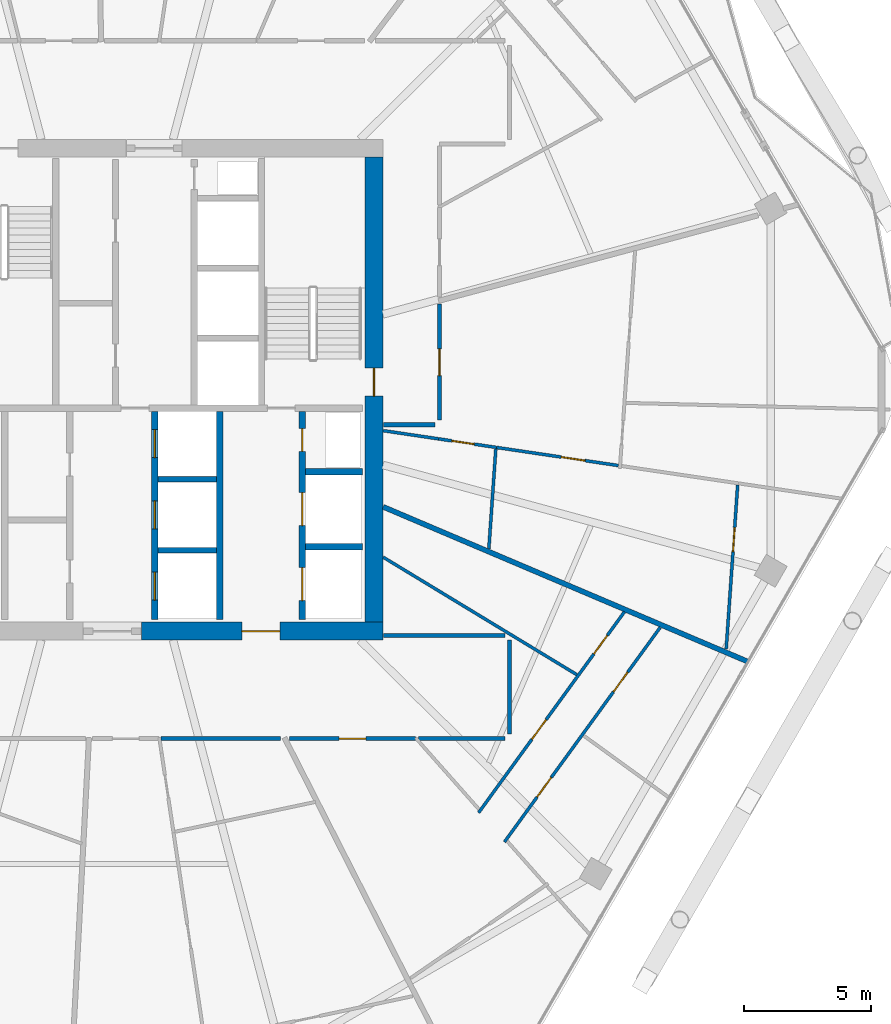
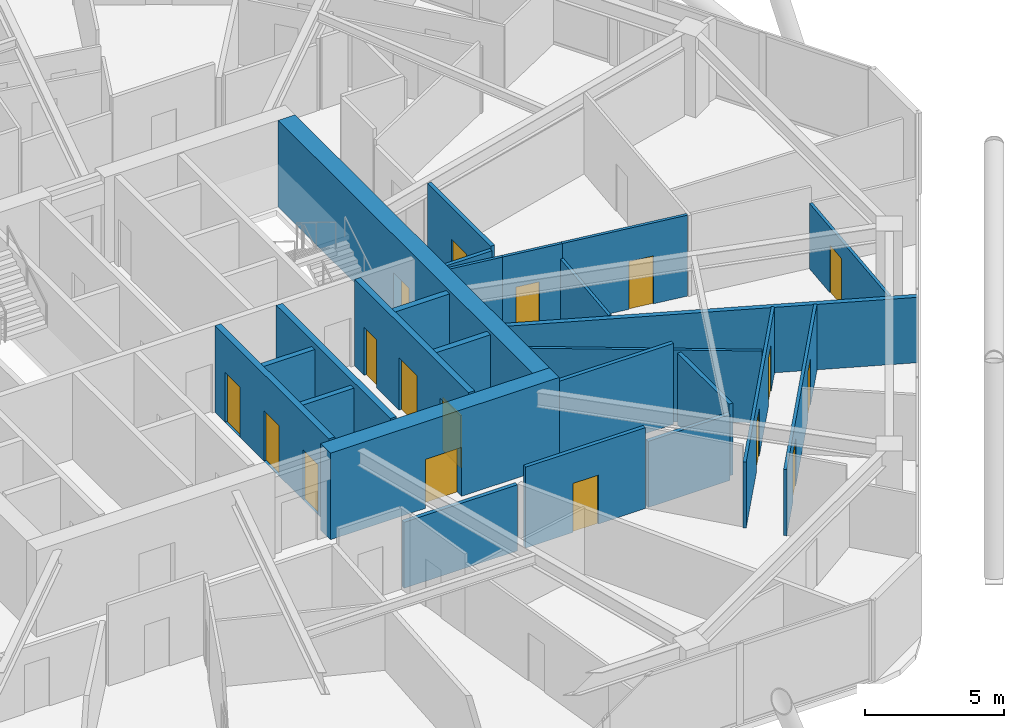
# One storey, part 23 of 29: 25 walls, 17 doors, 17 openings.
"""IFC4 building model written with IfcOpenShell, lengths in metres."""

from ifc_helpers import new_model, si_unit, direction, frame, frame_2d, origin, place, context, subcontext, project, spatial, rectangle, extrude, material, layer, layer_set, type_object, element, fill, save


model = new_model("IFC4")

# Units and contexts
model_context = context("Model", 3, precision=1e-05, world=origin(), true_north=direction((0.0, 1.0)))
body_context = subcontext(model_context, "Body", "Model", "MODEL_VIEW")
ifc_project = project(units=[si_unit("LENGTHUNIT", "METRE"), si_unit("AREAUNIT", "SQUARE_METRE"), si_unit("VOLUMEUNIT", "CUBIC_METRE"), si_unit("PLANEANGLEUNIT", "RADIAN"), si_unit("MASSUNIT", "GRAM", prefix="KILO")], contexts=[model_context])

# Site, building, storey
site_placement = place(None, origin())
site = spatial("IfcSite", under=ifc_project, at=site_placement, CompositionType="ELEMENT")
building_placement = place(site_placement, origin())
building = spatial("IfcBuilding", under=site, at=building_placement, Name="Zuhravey Tower", CompositionType="ELEMENT")
storey_placement = place(building_placement, frame((0.0, 0.0, 192.199951171875)))
storey = spatial("IfcBuildingStorey", under=building, at=storey_placement, Name="L48", CompositionType="ELEMENT", Elevation=192.199951171875)

# Wall, opening, door
ifc_material_1 = material(Name="Concrete C60/75", Category="concrete")
ifc_layer_1 = layer(ifc_material_1, 0.699951171875)
ifc_layer_set_1 = layer_set([ifc_layer_1], Name="Concrete C60/75")
wall_type_1 = type_object("IfcWallType", Name="Core Shear Wall 700", PredefinedType="SHEAR", material=ifc_layer_set_1)
wall_1_placement = place(storey_placement, frame((37.35009765625, 22.5, 0.0), z_axis=(0.0, 0.0, 1.0), x_axis=(1.0, 0.0, 0.0)))
wall_1 = element("IfcWall", 1, at=wall_1_placement, inside=storey, type_object=wall_type_1, Name="L48 South-East Core Shear Wall CW70", PredefinedType="SHEAR", context=body_context, shape_type="SweptSolid", body=[
    extrude(rectangle(XDim=9.5, YDim=0.699951171875, at=frame_2d((4.75, 0.0))), origin(), (0.0, 0.0, 1.0), 3.800048828125),
])
opening_1_placement = place(wall_1_placement, frame((3.949951171875, 0.0, 0.0)))
opening_1 = element("IfcOpeningElement", 2, at=opening_1_placement, cuts=wall_1, Name="Opening FFD1", PredefinedType="OPENING", context=body_context, shape_type="SweptSolid", body=[
    extrude(rectangle(XDim=1.5, YDim=2.14990234375, at=frame_2d((0.75, 1.074951171875))), frame((0.0, 0.362060546875, 0.0), z_axis=(0.0, -1.0, 0.0), x_axis=(1.0, 0.0, 0.0)), (0.0, 0.0, 1.0), 0.723876953125),
])
ifc_material_2 = material(Name="Galvanised fire-rated steel leaf", Category="steel")
door_type_1 = type_object("IfcDoorType", Name="Firefighting Lobby Double Door 1500x2150", OperationType="DOUBLE_DOOR_SINGLE_SWING", PredefinedType="DOOR", material=ifc_material_2)
door_1_placement = place(opening_1_placement, origin())
door_1 = element("IfcDoor", 3, at=door_1_placement, inside=storey, type_object=door_type_1, Name="L48 Firefighting Lobby East Door", OperationType="DOUBLE_DOOR_SINGLE_SWING", OverallHeight=2.14990234375, OverallWidth=1.5, PredefinedType="DOOR", context=body_context, shape_type="SweptSolid", body=[
    extrude(rectangle(XDim=1.5, YDim=2.14990234375, at=frame_2d((0.75, 1.074951171875))), frame((0.0, 0.02490234375, 0.0), z_axis=(0.0, -1.0, 0.0), x_axis=(1.0, 0.0, 0.0)), (0.0, 0.0, 1.0), 0.050048828125),
])
fill(opening_1, door_1)

wall_2_placement = place(storey_placement, frame((46.5, 22.85009765625, 0.0), z_axis=(0.0, 0.0, 1.0), x_axis=(0.0, 1.0, 0.0)))
wall_2 = element("IfcWall", 4, at=wall_2_placement, inside=storey, type_object=wall_type_1, Name="L48 East Core Shear Wall CW70", PredefinedType="SHEAR", context=body_context, shape_type="SweptSolid", body=[
    extrude(rectangle(XDim=18.2998046875, YDim=0.699951171875, at=frame_2d((9.14990234375, 0.0))), origin(), (0.0, 0.0, 1.0), 3.800048828125),
])
opening_2_placement = place(wall_2_placement, frame((8.89990234375, 0.0, 0.0)))
opening_2 = element("IfcOpeningElement", 5, at=opening_2_placement, cuts=wall_2, Name="Opening STD1", PredefinedType="OPENING", context=body_context, shape_type="SweptSolid", body=[
    extrude(rectangle(XDim=1.10009765625, YDim=2.14990234375, at=frame_2d((0.550048828125, 1.074951171875))), frame((0.0, 0.362060546875, 0.0), z_axis=(0.0, -1.0, 0.0), x_axis=(1.0, 0.0, 0.0)), (0.0, 0.0, 1.0), 0.723876953125),
])
door_type_2 = type_object("IfcDoorType", Name="Protected Stair Fire Door 1100x2150", OperationType="NOTDEFINED", PredefinedType="USERDEFINED", material=ifc_material_2)
door_2_placement = place(opening_2_placement, origin())
door_2 = element("IfcDoor", 6, at=door_2_placement, inside=storey, type_object=door_type_2, Name="L48 Stair ST2 Door", ObjectType="EXITDOOR", OperationType="SINGLE_SWING_RIGHT", OverallHeight=2.14990234375, OverallWidth=1.10009765625, PredefinedType="USERDEFINED", context=body_context, shape_type="SweptSolid", body=[
    extrude(rectangle(XDim=1.10009765625, YDim=2.14990234375, at=frame_2d((0.550048828125, 1.074951171875))), frame((0.0, 0.02490234375, 0.0), z_axis=(0.0, -1.0, 0.0), x_axis=(1.0, 0.0, 0.0)), (0.0, 0.0, 1.0), 0.050048828125),
])
fill(opening_2, door_2)

ifc_material_3 = material(Name="Gypsum fire-rated stud partition")
ifc_layer_2 = layer(ifc_material_3, 0.159912109375)
ifc_layer_set_2 = layer_set([ifc_layer_2], Name="Gypsum fire-rated stud partition")
wall_type_2 = type_object("IfcWallType", Name="Corridor Fire Partition 160", PredefinedType="PARTITIONING", material=ifc_layer_set_2)
wall_3_placement = place(storey_placement, frame((43.169921875, 18.27001953125, 0.0), z_axis=(0.0, 0.0, 1.0), x_axis=(1.0, 0.0, 0.0)))
wall_3 = element("IfcWall", 7, at=wall_3_placement, inside=storey, type_object=wall_type_2, Name="L48 IW16 Partition 054", PredefinedType="PARTITIONING", context=body_context, shape_type="SweptSolid", body=[
    extrude(rectangle(XDim=4.9677734375, YDim=0.159912109375, at=frame_2d((2.48388671875, 0.0))), origin(), (0.0, 0.0, 1.0), 3.550048828125),
])
opening_3_placement = place(wall_3_placement, frame((1.958984375, 0.0, 0.0)))
opening_3 = element("IfcOpeningElement", 8, at=opening_3_placement, cuts=wall_3, Name="Opening APD1", PredefinedType="OPENING", context=body_context, shape_type="SweptSolid", body=[
    extrude(rectangle(XDim=1.050048828125, YDim=2.14990234375, at=frame_2d((0.52490234375, 1.074951171875))), frame((0.0, 0.092041015625, 0.0), z_axis=(0.0, -1.0, 0.0), x_axis=(1.0, 0.0, 0.0)), (0.0, 0.0, 1.0), 0.183837890625),
])
ifc_material_4 = material(Name="Solid-core oak fire-rated leaf")
door_type_3 = type_object("IfcDoorType", Name="Apartment Entrance Fire Door 1050x2150", OperationType="NOTDEFINED", PredefinedType="DOOR", material=ifc_material_4)
door_3_placement = place(opening_3_placement, frame((1.050048828125, 0.0, 0.0), z_axis=(0.0, 0.0, 1.0), x_axis=(-1.0, 0.0, 0.0)))
door_3 = element("IfcDoor", 9, at=door_3_placement, inside=storey, type_object=door_type_3, Name="L48 Door 054.1", OperationType="SINGLE_SWING_LEFT", OverallHeight=2.14990234375, OverallWidth=1.050048828125, PredefinedType="DOOR", context=body_context, shape_type="SweptSolid", body=[
    extrude(rectangle(XDim=1.050048828125, YDim=2.14990234375, at=frame_2d((0.52490234375, 1.074951171875))), frame((0.0, 0.02490234375, 0.0), z_axis=(0.0, -1.0, 0.0), x_axis=(1.0, 0.0, 0.0)), (0.0, 0.0, 1.0), 0.050048828125),
])
fill(opening_3, door_3)

wall_4_placement = place(storey_placement, frame((49.080078125, 30.800048828125, 0.0), z_axis=(0.0, 0.0, 1.0), x_axis=(0.0, 1.0, 0.0)))
wall_4 = element("IfcWall", 10, at=wall_4_placement, inside=storey, type_object=wall_type_2, Name="L48 IW16 Partition 060", PredefinedType="PARTITIONING", context=body_context, shape_type="SweptSolid", body=[
    extrude(rectangle(XDim=4.56201171875, YDim=0.159912109375, at=frame_2d((2.281005859375, 0.0))), origin(), (0.0, 0.0, 1.0), 3.550048828125),
])
opening_4_placement = place(wall_4_placement, frame((1.756103515625, 0.0, 0.0)))
opening_4 = element("IfcOpeningElement", 11, at=opening_4_placement, cuts=wall_4, Name="Opening APD1", PredefinedType="OPENING", context=body_context, shape_type="SweptSolid", body=[
    extrude(rectangle(XDim=1.050048828125, YDim=2.14990234375, at=frame_2d((0.52490234375, 1.074951171875))), frame((0.0, 0.092041015625, 0.0), z_axis=(0.0, -1.0, 0.0), x_axis=(1.0, 0.0, 0.0)), (0.0, 0.0, 1.0), 0.183837890625),
])
door_4_placement = place(opening_4_placement, frame((1.050048828125, 0.0, 0.0), z_axis=(0.0, 0.0, 1.0), x_axis=(-1.0, 0.0, 0.0)))
door_4 = element("IfcDoor", 12, at=door_4_placement, inside=storey, type_object=door_type_3, Name="L48 Door 060.1", OperationType="SINGLE_SWING_LEFT", OverallHeight=2.14990234375, OverallWidth=1.050048828125, PredefinedType="DOOR", context=body_context, shape_type="SweptSolid", body=[
    extrude(rectangle(XDim=1.050048828125, YDim=2.14990234375, at=frame_2d((0.52490234375, 1.074951171875))), frame((0.0, 0.02490234375, 0.0), z_axis=(0.0, -1.0, 0.0), x_axis=(1.0, 0.0, 0.0)), (0.0, 0.0, 1.0), 0.050048828125),
])
fill(opening_4, door_4)

# Walls
wall_5_placement = place(storey_placement, frame((38.125732421875, 18.27001953125, 0.0), z_axis=(0.0, 0.0, 1.0), x_axis=(1.0, 0.0, 0.0)))
element("IfcWall", 13, at=wall_5_placement, inside=storey, type_object=wall_type_2, Name="L48 IW16 Partition 143", PredefinedType="PARTITIONING", context=body_context, shape_type="SweptSolid", body=[
    extrude(rectangle(XDim=4.697509765625, YDim=0.159912109375, at=frame_2d((2.3486328125, 0.0))), origin(), (0.0, 0.0, 1.0), 2.900146484375),
])
wall_6_placement = place(storey_placement, frame((51.64990234375, 22.330078125, 0.0), z_axis=(0.0, 0.0, 1.0), x_axis=(-1.0, 0.0, 0.0)))
element("IfcWall", 14, at=wall_6_placement, inside=storey, type_object=wall_type_2, Name="L48 IW16 Partition 144", PredefinedType="PARTITIONING", context=body_context, shape_type="SweptSolid", body=[
    extrude(rectangle(XDim=4.77978515625, YDim=0.159912109375, at=frame_2d((2.389892578125, 0.0))), origin(), (0.0, 0.0, 1.0), 3.550048828125),
])
wall_7_placement = place(storey_placement, frame((51.830078125, 18.449951171875, 0.0), z_axis=(0.0, 0.0, 1.0), x_axis=(0.0, 1.0, 0.0)))
element("IfcWall", 15, at=wall_7_placement, inside=storey, type_object=wall_type_2, Name="L48 IW16 Partition 145", PredefinedType="PARTITIONING", context=body_context, shape_type="SweptSolid", body=[
    extrude(rectangle(XDim=3.699951171875, YDim=0.159912109375, at=frame_2d((1.85009765625, 0.0))), origin(), (0.0, 0.0, 1.0), 3.150146484375),
])
wall_8_placement = place(storey_placement, frame((48.255126953125, 18.27001953125, 0.0), z_axis=(0.0, 0.0, 1.0), x_axis=(1.0, 0.0, 0.0)))
element("IfcWall", 16, at=wall_8_placement, inside=storey, type_object=wall_type_2, Name="L48 IW16 Partition 146", PredefinedType="PARTITIONING", context=body_context, shape_type="SweptSolid", body=[
    extrude(rectangle(XDim=3.394775390625, YDim=0.159912109375, at=frame_2d((1.697265625, 0.0))), origin(), (0.0, 0.0, 1.0), 2.900146484375),
])
wall_9_placement = place(storey_placement, frame((46.8701171875, 30.6201171875, 0.0), z_axis=(0.0, 0.0, 1.0), x_axis=(1.0, 0.0, 0.0)))
element("IfcWall", 17, at=wall_9_placement, inside=storey, type_object=wall_type_2, Name="L48 IW16 Partition 147", PredefinedType="PARTITIONING", context=body_context, shape_type="SweptSolid", body=[
    extrude(rectangle(XDim=2.02978515625, YDim=0.159912109375, at=frame_2d((1.014892578125, 0.0))), origin(), (0.0, 0.0, 1.0), 3.550048828125),
])

# Wall, openings, doors
ifc_material_5 = material(Name="Concrete C50/60", Category="concrete")
ifc_layer_3 = layer(ifc_material_5, 0.25)
ifc_layer_set_3 = layer_set([ifc_layer_3], Name="Concrete C50/60")
wall_type_3 = type_object("IfcWallType", Name="Firefighting Shaft & Stair Wall 250", PredefinedType="SOLIDWALL", material=ifc_layer_set_3)
wall_10_placement = place(storey_placement, frame((37.875, 22.949951171875, 0.0), z_axis=(0.0, 0.0, 1.0), x_axis=(0.0, 1.0, 0.0)))
wall_10 = element("IfcWall", 18, at=wall_10_placement, inside=storey, type_object=wall_type_3, Name="L48 FW25 Shaft Wall 015", PredefinedType="SOLIDWALL", context=body_context, shape_type="SweptSolid", body=[
    extrude(rectangle(XDim=8.199951171875, YDim=0.25, at=frame_2d((4.10009765625, 0.0))), origin(), (0.0, 0.0, 1.0), 3.800048828125),
])
opening_5_placement = place(wall_10_placement, frame((0.77490234375, 0.0, 0.0)))
opening_5 = element("IfcOpeningElement", 19, at=opening_5_placement, cuts=wall_10, Name="Opening LD1", PredefinedType="OPENING", context=body_context, shape_type="SweptSolid", body=[
    extrude(rectangle(XDim=1.10009765625, YDim=2.199951171875, at=frame_2d((0.550048828125, 1.10009765625))), frame((0.0, 0.136962890625, 0.0), z_axis=(0.0, -1.0, 0.0), x_axis=(1.0, 0.0, 0.0)), (0.0, 0.0, 1.0), 0.27392578125),
])
opening_6_placement = place(wall_10_placement, frame((3.574951171875, 0.0, 0.0)))
opening_6 = element("IfcOpeningElement", 20, at=opening_6_placement, cuts=wall_10, Name="Opening LD1", PredefinedType="OPENING", context=body_context, shape_type="SweptSolid", body=[
    extrude(rectangle(XDim=1.10009765625, YDim=2.199951171875, at=frame_2d((0.550048828125, 1.10009765625))), frame((0.0, 0.136962890625, 0.0), z_axis=(0.0, -1.0, 0.0), x_axis=(1.0, 0.0, 0.0)), (0.0, 0.0, 1.0), 0.27392578125),
])
opening_7_placement = place(wall_10_placement, frame((6.375, 0.0, 0.0)))
opening_7 = element("IfcOpeningElement", 21, at=opening_7_placement, cuts=wall_10, Name="Opening LD1", PredefinedType="OPENING", context=body_context, shape_type="SweptSolid", body=[
    extrude(rectangle(XDim=1.10009765625, YDim=2.199951171875, at=frame_2d((0.550048828125, 1.10009765625))), frame((0.0, 0.136962890625, 0.0), z_axis=(0.0, -1.0, 0.0), x_axis=(1.0, 0.0, 0.0)), (0.0, 0.0, 1.0), 0.27392578125),
])
ifc_material_6 = material(Name="Brushed stainless steel", Category="steel")
door_type_4 = type_object("IfcDoorType", Name="Lift Landing Sliding Door 1100x2200", OperationType="DOUBLE_DOOR_SLIDING", PredefinedType="DOOR", material=ifc_material_6)
door_5_placement = place(opening_5_placement, origin())
door_5 = element("IfcDoor", 22, at=door_5_placement, inside=storey, type_object=door_type_4, Name="L48 Lift PL4 Landing Door", OperationType="DOUBLE_DOOR_SLIDING", OverallHeight=2.199951171875, OverallWidth=1.10009765625, PredefinedType="DOOR", context=body_context, shape_type="SweptSolid", body=[
    extrude(rectangle(XDim=1.10009765625, YDim=2.199951171875, at=frame_2d((0.550048828125, 1.10009765625))), frame((0.0, 0.02490234375, 0.0), z_axis=(0.0, -1.0, 0.0), x_axis=(1.0, 0.0, 0.0)), (0.0, 0.0, 1.0), 0.050048828125),
])
fill(opening_5, door_5)
door_6_placement = place(opening_6_placement, origin())
door_6 = element("IfcDoor", 23, at=door_6_placement, inside=storey, type_object=door_type_4, Name="L48 Lift PL5 Landing Door", OperationType="DOUBLE_DOOR_SLIDING", OverallHeight=2.199951171875, OverallWidth=1.10009765625, PredefinedType="DOOR", context=body_context, shape_type="SweptSolid", body=[
    extrude(rectangle(XDim=1.10009765625, YDim=2.199951171875, at=frame_2d((0.550048828125, 1.10009765625))), frame((0.0, 0.02490234375, 0.0), z_axis=(0.0, -1.0, 0.0), x_axis=(1.0, 0.0, 0.0)), (0.0, 0.0, 1.0), 0.050048828125),
])
fill(opening_6, door_6)
door_7_placement = place(opening_7_placement, origin())
door_7 = element("IfcDoor", 24, at=door_7_placement, inside=storey, type_object=door_type_4, Name="L48 Lift PL6 Landing Door", OperationType="DOUBLE_DOOR_SLIDING", OverallHeight=2.199951171875, OverallWidth=1.10009765625, PredefinedType="DOOR", context=body_context, shape_type="SweptSolid", body=[
    extrude(rectangle(XDim=1.10009765625, YDim=2.199951171875, at=frame_2d((0.550048828125, 1.10009765625))), frame((0.0, 0.02490234375, 0.0), z_axis=(0.0, -1.0, 0.0), x_axis=(1.0, 0.0, 0.0)), (0.0, 0.0, 1.0), 0.050048828125),
])
fill(opening_7, door_7)

# Walls
wall_11_placement = place(storey_placement, frame((40.425048828125, 22.949951171875, 0.0), z_axis=(0.0, 0.0, 1.0), x_axis=(0.0, 1.0, 0.0)))
element("IfcWall", 25, at=wall_11_placement, inside=storey, type_object=wall_type_3, Name="L48 FW25 Shaft Wall 016", PredefinedType="SOLIDWALL", context=body_context, shape_type="SweptSolid", body=[
    extrude(rectangle(XDim=8.199951171875, YDim=0.25, at=frame_2d((4.10009765625, 0.0))), origin(), (0.0, 0.0, 1.0), 3.800048828125),
])
for number, where, z_axis, x_axis, name in (
    (26, (43.800048828125, 25.824951171875, 0.0), (0.0, 0.0, 1.0), (1.0, 0.0, 0.0), "L48 FW25 Shaft Wall 017"),
    (27, (43.800048828125, 28.77490234375, 0.0), (0.0, 0.0, 1.0), (1.0, 0.0, 0.0), "L48 FW25 Shaft Wall 018"),
):
    element("IfcWall", number, at=place(storey_placement, frame(where, z_axis=z_axis, x_axis=x_axis)), inside=storey, type_object=wall_type_3, Name=name, PredefinedType="SOLIDWALL", context=body_context, shape_type="SweptSolid", body=[
        extrude(rectangle(XDim=2.25, YDim=0.25, at=frame_2d((1.125, 0.0))), origin(), (0.0, 0.0, 1.0), 3.800048828125),
    ])

# Wall, openings, doors
wall_12_placement = place(storey_placement, frame((43.675048828125, 22.949951171875, 0.0), z_axis=(0.0, 0.0, 1.0), x_axis=(0.0, 1.0, 0.0)))
wall_12 = element("IfcWall", 28, at=wall_12_placement, inside=storey, type_object=wall_type_3, Name="L48 FW25 Shaft Wall 019", PredefinedType="SOLIDWALL", context=body_context, shape_type="SweptSolid", body=[
    extrude(rectangle(XDim=8.199951171875, YDim=0.25, at=frame_2d((4.10009765625, 0.0))), origin(), (0.0, 0.0, 1.0), 3.800048828125),
])
opening_8_placement = place(wall_12_placement, frame((0.75, 0.0, 0.0)))
opening_8 = element("IfcOpeningElement", 29, at=opening_8_placement, cuts=wall_12, Name="Opening LD2", PredefinedType="OPENING", context=body_context, shape_type="SweptSolid", body=[
    extrude(rectangle(XDim=1.300048828125, YDim=2.300048828125, at=frame_2d((0.64990234375, 1.14990234375))), frame((0.0, 0.136962890625, 0.0), z_axis=(0.0, -1.0, 0.0), x_axis=(1.0, 0.0, 0.0)), (0.0, 0.0, 1.0), 0.27392578125),
])
opening_9_placement = place(wall_12_placement, frame((3.699951171875, 0.0, 0.0)))
opening_9 = element("IfcOpeningElement", 30, at=opening_9_placement, cuts=wall_12, Name="Opening LD2", PredefinedType="OPENING", context=body_context, shape_type="SweptSolid", body=[
    extrude(rectangle(XDim=1.300048828125, YDim=2.300048828125, at=frame_2d((0.64990234375, 1.14990234375))), frame((0.0, 0.136962890625, 0.0), z_axis=(0.0, -1.0, 0.0), x_axis=(1.0, 0.0, 0.0)), (0.0, 0.0, 1.0), 0.27392578125),
])
opening_10_placement = place(wall_12_placement, frame((6.6201171875, 0.0, 0.0)))
opening_10 = element("IfcOpeningElement", 31, at=opening_10_placement, cuts=wall_12, Name="Opening RSD1", PredefinedType="OPENING", context=body_context, shape_type="SweptSolid", body=[
    extrude(rectangle(XDim=0.89990234375, YDim=2.10009765625, at=frame_2d((0.449951171875, 1.050048828125))), frame((0.0, 0.136962890625, 0.0), z_axis=(0.0, -1.0, 0.0), x_axis=(1.0, 0.0, 0.0)), (0.0, 0.0, 1.0), 0.27392578125),
])
door_type_5 = type_object("IfcDoorType", Name="Freight & Stretcher Lift Sliding Door 1300x2300", OperationType="DOUBLE_DOOR_SLIDING", PredefinedType="DOOR", material=ifc_material_6)
door_8_placement = place(opening_8_placement, origin())
door_8 = element("IfcDoor", 32, at=door_8_placement, inside=storey, type_object=door_type_5, Name="L48 Lift FF2 Landing Door", OperationType="DOUBLE_DOOR_SLIDING", OverallHeight=2.300048828125, OverallWidth=1.300048828125, PredefinedType="DOOR", context=body_context, shape_type="SweptSolid", body=[
    extrude(rectangle(XDim=1.300048828125, YDim=2.300048828125, at=frame_2d((0.64990234375, 1.14990234375))), frame((0.0, 0.02490234375, 0.0), z_axis=(0.0, -1.0, 0.0), x_axis=(1.0, 0.0, 0.0)), (0.0, 0.0, 1.0), 0.050048828125),
])
fill(opening_8, door_8)
door_9_placement = place(opening_9_placement, origin())
door_9 = element("IfcDoor", 33, at=door_9_placement, inside=storey, type_object=door_type_5, Name="L48 Lift SV1 Landing Door", OperationType="DOUBLE_DOOR_SLIDING", OverallHeight=2.300048828125, OverallWidth=1.300048828125, PredefinedType="DOOR", context=body_context, shape_type="SweptSolid", body=[
    extrude(rectangle(XDim=1.300048828125, YDim=2.300048828125, at=frame_2d((0.64990234375, 1.14990234375))), frame((0.0, 0.02490234375, 0.0), z_axis=(0.0, -1.0, 0.0), x_axis=(1.0, 0.0, 0.0)), (0.0, 0.0, 1.0), 0.050048828125),
])
fill(opening_9, door_9)
ifc_material_7 = material(Name="Galvanised fire-rated steel access leaf", Category="steel")
door_type_6 = type_object("IfcDoorType", Name="Riser & Shaft Access Fire Door 900x2100", OperationType="NOTDEFINED", PredefinedType="DOOR", material=ifc_material_7)
door_10_placement = place(opening_10_placement, origin())
door_10 = element("IfcDoor", 34, at=door_10_placement, inside=storey, type_object=door_type_6, Name="L48 Plumbing Riser Door", OperationType="SINGLE_SWING_RIGHT", OverallHeight=2.10009765625, OverallWidth=0.89990234375, PredefinedType="DOOR", context=body_context, shape_type="SweptSolid", body=[
    extrude(rectangle(XDim=0.89990234375, YDim=2.10009765625, at=frame_2d((0.449951171875, 1.050048828125))), frame((0.0, 0.02490234375, 0.0), z_axis=(0.0, -1.0, 0.0), x_axis=(1.0, 0.0, 0.0)), (0.0, 0.0, 1.0), 0.050048828125),
])
fill(opening_10, door_10)

# Walls
ifc_material_8 = material(Name="Gypsum double-stud party assembly")
ifc_layer_4 = layer(ifc_material_8, 0.199951171875)
ifc_layer_set_4 = layer_set([ifc_layer_4], Name="Gypsum double-stud party assembly")
wall_type_4 = type_object("IfcWallType", Name="Inter-Tenancy Party Wall 200", PredefinedType="PARTITIONING", material=ifc_layer_set_4)
wall_13_placement = place(storey_placement, frame((46.85791015625, 27.39111328125, 0.0), z_axis=(0.0, 0.0, 1.0), x_axis=(0.920508238271, -0.390723154261, 0.0)))
element("IfcWall", 35, at=wall_13_placement, inside=storey, type_object=wall_type_4, Name="L48 IW20 Partition 118", PredefinedType="PARTITIONING", context=body_context, shape_type="SweptSolid", body=[
    extrude(rectangle(XDim=15.591796875, YDim=0.199951171875, at=frame_2d((7.7958984375, 0.0))), origin(), (0.0, 0.0, 1.0), 2.8701171875),
])
ifc_material_9 = material(Name="Gypsum acoustic stud assembly")
ifc_layer_5 = layer(ifc_material_9, 0.219970703125)
ifc_layer_set_5 = layer_set([ifc_layer_5], Name="Gypsum acoustic stud assembly")
wall_type_5 = type_object("IfcWallType", Name="School Acoustic Compartment Wall 220", PredefinedType="PARTITIONING", material=ifc_layer_set_5)
for number, where, z_axis, x_axis, name in (
    (36, (38.008056640625, 25.675048828125, 0.0), (0.0, 0.0, 1.0), (1.0, 0.0, 0.0), "L48 IW22 Partition 065"),
    (37, (38.008056640625, 28.47509765625, 0.0), (0.0, 0.0, 1.0), (1.0, 0.0, 0.0), "L48 IW22 Partition 066"),
):
    element("IfcWall", number, at=place(storey_placement, frame(where, z_axis=z_axis, x_axis=x_axis)), inside=storey, type_object=wall_type_5, Name=name, PredefinedType="PARTITIONING", context=body_context, shape_type="SweptSolid", body=[
        extrude(rectangle(XDim=2.283935546875, YDim=0.219970703125, at=frame_2d((1.14208984375, 0.0))), origin(), (0.0, 0.0, 1.0), 3.550048828125),
    ])

# Wall, openings, doors
ifc_material_10 = material(Name="Gypsum metal-stud partition")
ifc_layer_6 = layer(ifc_material_10, 0.1201171875)
ifc_layer_set_6 = layer_set([ifc_layer_6], Name="Gypsum metal-stud partition")
wall_type_6 = type_object("IfcWallType", Name="Unit Internal Partition 120", PredefinedType="PARTITIONING", material=ifc_layer_set_6)
wall_14_placement = place(storey_placement, frame((50.61328125, 15.35498046875, 0.0), z_axis=(0.0, 0.0, 1.0), x_axis=(0.587519111836, 0.809210289867, 0.0)))
wall_14 = element("IfcWall", 38, at=wall_14_placement, inside=storey, type_object=wall_type_6, Name="L48 IW12 Partition 052", PredefinedType="PARTITIONING", context=body_context, shape_type="SweptSolid", body=[
    extrude(rectangle(XDim=9.768310546875, YDim=0.1201171875, at=frame_2d((4.88427734375, 0.0))), origin(), (0.0, 0.0, 1.0), 2.900146484375),
])
opening_11_placement = place(wall_14_placement, frame((3.572021484375, 0.0, 0.0)))
opening_11 = element("IfcOpeningElement", 39, at=opening_11_placement, cuts=wall_14, Name="Opening IND1", PredefinedType="OPENING", context=body_context, shape_type="SweptSolid", body=[
    extrude(rectangle(XDim=0.949951171875, YDim=2.10009765625, at=frame_2d((0.47509765625, 1.050048828125))), frame((0.0, 0.072021484375, 0.0), z_axis=(0.0, -1.0, 0.0), x_axis=(1.0, 0.0, 0.0)), (0.0, 0.0, 1.0), 0.14404296875),
])
opening_12_placement = place(wall_14_placement, frame((7.718505859375, 0.0, 0.0)))
opening_12 = element("IfcOpeningElement", 40, at=opening_12_placement, cuts=wall_14, Name="Opening WCD1", PredefinedType="OPENING", context=body_context, shape_type="SweptSolid", body=[
    extrude(rectangle(XDim=0.89990234375, YDim=2.10009765625, at=frame_2d((0.449951171875, 1.050048828125))), frame((0.0, 0.072021484375, 0.0), z_axis=(0.0, -1.0, 0.0), x_axis=(1.0, 0.0, 0.0)), (0.0, 0.0, 1.0), 0.14404296875),
])
ifc_material_11 = material(Name="Moisture-resistant timber leaf", Category="wood")
door_type_7 = type_object("IfcDoorType", Name="Bathroom & WC Internal Door 900x2100", OperationType="NOTDEFINED", PredefinedType="DOOR", material=ifc_material_11)
door_11_placement = place(opening_12_placement, origin())
door_11 = element("IfcDoor", 41, at=door_11_placement, inside=storey, type_object=door_type_7, Name="Apartment L48-09 Bathroom Door", OperationType="SINGLE_SWING_RIGHT", OverallHeight=2.10009765625, OverallWidth=0.89990234375, PredefinedType="DOOR", context=body_context, shape_type="SweptSolid", body=[
    extrude(rectangle(XDim=0.89990234375, YDim=2.10009765625, at=frame_2d((0.449951171875, 1.050048828125))), frame((0.0, 0.02490234375, 0.0), z_axis=(0.0, -1.0, 0.0), x_axis=(1.0, 0.0, 0.0)), (0.0, 0.0, 1.0), 0.050048828125),
])
fill(opening_12, door_11)
ifc_material_12 = material(Name="Painted engineered timber leaf", Category="wood")
door_type_8 = type_object("IfcDoorType", Name="Internal Room & Bedroom Door 950x2100", OperationType="NOTDEFINED", PredefinedType="DOOR", material=ifc_material_12)
door_12_placement = place(opening_11_placement, origin())
door_12 = element("IfcDoor", 42, at=door_12_placement, inside=storey, type_object=door_type_8, Name="Apartment L48-09 Kitchen Door", OperationType="SINGLE_SWING_LEFT", OverallHeight=2.10009765625, OverallWidth=0.949951171875, PredefinedType="DOOR", context=body_context, shape_type="SweptSolid", body=[
    extrude(rectangle(XDim=0.949951171875, YDim=2.10009765625, at=frame_2d((0.47509765625, 1.050048828125))), frame((0.0, 0.02490234375, 0.0), z_axis=(0.0, -1.0, 0.0), x_axis=(1.0, 0.0, 0.0)), (0.0, 0.0, 1.0), 0.050048828125),
])
fill(opening_11, door_12)

wall_15_placement = place(storey_placement, frame((51.632080078125, 14.205078125, 0.0), z_axis=(0.0, 0.0, 1.0), x_axis=(0.587503568884, 0.809221574446, 0.0)))
wall_15 = element("IfcWall", 43, at=wall_15_placement, inside=storey, type_object=wall_type_6, Name="L48 IW12 Partition 053", PredefinedType="PARTITIONING", context=body_context, shape_type="SweptSolid", body=[
    extrude(rectangle(XDim=10.43212890625, YDim=0.1201171875, at=frame_2d((5.216064453125, 0.0))), origin(), (0.0, 0.0, 1.0), 2.900146484375),
])
opening_13_placement = place(wall_15_placement, frame((2.18310546875, 0.0, 0.0)))
opening_13 = element("IfcOpeningElement", 44, at=opening_13_placement, cuts=wall_15, Name="Opening IND1", PredefinedType="OPENING", context=body_context, shape_type="SweptSolid", body=[
    extrude(rectangle(XDim=0.949951171875, YDim=2.10009765625, at=frame_2d((0.47509765625, 1.050048828125))), frame((0.0, 0.072021484375, 0.0), z_axis=(0.0, -1.0, 0.0), x_axis=(1.0, 0.0, 0.0)), (0.0, 0.0, 1.0), 0.14404296875),
])
opening_14_placement = place(wall_15_placement, frame((7.299072265625, 0.0, 0.0)))
opening_14 = element("IfcOpeningElement", 45, at=opening_14_placement, cuts=wall_15, Name="Opening IND1", PredefinedType="OPENING", context=body_context, shape_type="SweptSolid", body=[
    extrude(rectangle(XDim=0.949951171875, YDim=2.10009765625, at=frame_2d((0.47509765625, 1.050048828125))), frame((0.0, 0.072021484375, 0.0), z_axis=(0.0, -1.0, 0.0), x_axis=(1.0, 0.0, 0.0)), (0.0, 0.0, 1.0), 0.14404296875),
])
door_13_placement = place(opening_13_placement, frame((0.949951171875, 0.0, 0.0), z_axis=(0.0, 0.0, 1.0), x_axis=(-1.0, 0.0, 0.0)))
door_13 = element("IfcDoor", 46, at=door_13_placement, inside=storey, type_object=door_type_8, Name="Apartment L48-09 Bedroom 1 Door", OperationType="SINGLE_SWING_LEFT", OverallHeight=2.10009765625, OverallWidth=0.949951171875, PredefinedType="DOOR", context=body_context, shape_type="SweptSolid", body=[
    extrude(rectangle(XDim=0.949951171875, YDim=2.10009765625, at=frame_2d((0.47509765625, 1.050048828125))), frame((0.0, 0.02490234375, 0.0), z_axis=(0.0, -1.0, 0.0), x_axis=(1.0, 0.0, 0.0)), (0.0, 0.0, 1.0), 0.050048828125),
])
fill(opening_13, door_13)
door_14_placement = place(opening_14_placement, frame((0.949951171875, 0.0, 0.0), z_axis=(0.0, 0.0, 1.0), x_axis=(-1.0, 0.0, 0.0)))
door_14 = element("IfcDoor", 47, at=door_14_placement, inside=storey, type_object=door_type_8, Name="Apartment L48-09 Bedroom 2 Door", OperationType="SINGLE_SWING_RIGHT", OverallHeight=2.10009765625, OverallWidth=0.949951171875, PredefinedType="DOOR", context=body_context, shape_type="SweptSolid", body=[
    extrude(rectangle(XDim=0.949951171875, YDim=2.10009765625, at=frame_2d((0.47509765625, 1.050048828125))), frame((0.0, 0.02490234375, 0.0), z_axis=(0.0, -1.0, 0.0), x_axis=(1.0, 0.0, 0.0)), (0.0, 0.0, 1.0), 0.050048828125),
])
fill(opening_14, door_14)

# Wall, opening, door
wall_16_placement = place(storey_placement, frame((49.04541015625, 30.064208984375, 0.0), z_axis=(0.0, 0.0, 1.0), x_axis=(0.989173245812, -0.146752477897, 0.0)))
wall_16 = element("IfcWall", 48, at=wall_16_placement, inside=storey, type_object=wall_type_6, Name="L48 IW12 Partition 056", PredefinedType="PARTITIONING", context=body_context, shape_type="SweptSolid", body=[
    extrude(rectangle(XDim=2.30078125, YDim=0.1201171875, at=frame_2d((1.150390625, 0.0))), origin(), (0.0, 0.0, 1.0), 3.550048828125),
])
opening_15_placement = place(wall_16_placement, frame((0.516357421875, 0.0, 0.0)))
opening_15 = element("IfcOpeningElement", 49, at=opening_15_placement, cuts=wall_16, Name="Opening WCD1", PredefinedType="OPENING", context=body_context, shape_type="SweptSolid", body=[
    extrude(rectangle(XDim=0.89990234375, YDim=2.10009765625, at=frame_2d((0.449951171875, 1.050048828125))), frame((0.0, 0.072021484375, 0.0), z_axis=(0.0, -1.0, 0.0), x_axis=(1.0, 0.0, 0.0)), (0.0, 0.0, 1.0), 0.14404296875),
])
door_15_placement = place(opening_15_placement, frame((0.89990234375, 0.0, 0.0), z_axis=(0.0, 0.0, 1.0), x_axis=(-1.0, 0.0, 0.0)))
door_15 = element("IfcDoor", 50, at=door_15_placement, inside=storey, type_object=door_type_7, Name="Apartment L48-10 Bathroom Door", OperationType="SINGLE_SWING_RIGHT", OverallHeight=2.10009765625, OverallWidth=0.89990234375, PredefinedType="DOOR", context=body_context, shape_type="SweptSolid", body=[
    extrude(rectangle(XDim=0.89990234375, YDim=2.10009765625, at=frame_2d((0.449951171875, 1.050048828125))), frame((0.0, 0.02490234375, 0.0), z_axis=(0.0, -1.0, 0.0), x_axis=(1.0, 0.0, 0.0)), (0.0, 0.0, 1.0), 0.050048828125),
])
fill(opening_15, door_15)

wall_17_placement = place(storey_placement, frame((51.3212890625, 29.726806640625, 0.0), z_axis=(0.0, 0.0, 1.0), x_axis=(0.98916147346, -0.146831806573, 0.0)))
wall_17 = element("IfcWall", 51, at=wall_17_placement, inside=storey, type_object=wall_type_6, Name="L48 IW12 Partition 057", PredefinedType="PARTITIONING", context=body_context, shape_type="SweptSolid", body=[
    extrude(rectangle(XDim=4.843505859375, YDim=0.1201171875, at=frame_2d((2.421875, 0.0))), origin(), (0.0, 0.0, 1.0), 3.550048828125),
])
opening_16_placement = place(wall_17_placement, frame((2.5693359375, 0.0, 0.0)))
opening_16 = element("IfcOpeningElement", 52, at=opening_16_placement, cuts=wall_17, Name="Opening IND1", PredefinedType="OPENING", context=body_context, shape_type="SweptSolid", body=[
    extrude(rectangle(XDim=0.949951171875, YDim=2.10009765625, at=frame_2d((0.47509765625, 1.050048828125))), frame((0.0, 0.072021484375, 0.0), z_axis=(0.0, -1.0, 0.0), x_axis=(1.0, 0.0, 0.0)), (0.0, 0.0, 1.0), 0.14404296875),
])
door_16_placement = place(opening_16_placement, frame((0.949951171875, 0.0, 0.0), z_axis=(0.0, 0.0, 1.0), x_axis=(-1.0, 0.0, 0.0)))
door_16 = element("IfcDoor", 53, at=door_16_placement, inside=storey, type_object=door_type_8, Name="Apartment L48-10 Home Office Door", OperationType="SINGLE_SWING_LEFT", OverallHeight=2.10009765625, OverallWidth=0.949951171875, PredefinedType="DOOR", context=body_context, shape_type="SweptSolid", body=[
    extrude(rectangle(XDim=0.949951171875, YDim=2.10009765625, at=frame_2d((0.47509765625, 1.050048828125))), frame((0.0, 0.02490234375, 0.0), z_axis=(0.0, -1.0, 0.0), x_axis=(1.0, 0.0, 0.0)), (0.0, 0.0, 1.0), 0.050048828125),
])
fill(opening_16, door_16)

wall_18_placement = place(storey_placement, frame((60.3564453125, 21.802978515625, 0.0), z_axis=(0.0, 0.0, 1.0), x_axis=(0.069770485872, 0.997563070337, 0.0)))
wall_18 = element("IfcWall", 54, at=wall_18_placement, inside=storey, type_object=wall_type_6, Name="L48 IW12 Partition 059", PredefinedType="PARTITIONING", context=body_context, shape_type="SweptSolid", body=[
    extrude(rectangle(XDim=6.463134765625, YDim=0.1201171875, at=frame_2d((3.2314453125, 0.0))), origin(), (0.0, 0.0, 1.0), 2.8701171875),
])
opening_17_placement = place(wall_18_placement, frame((3.83544921875, 0.0, 0.0)))
opening_17 = element("IfcOpeningElement", 55, at=opening_17_placement, cuts=wall_18, Name="Opening IND1", PredefinedType="OPENING", context=body_context, shape_type="SweptSolid", body=[
    extrude(rectangle(XDim=0.949951171875, YDim=2.10009765625, at=frame_2d((0.47509765625, 1.050048828125))), frame((0.0, 0.072021484375, 0.0), z_axis=(0.0, -1.0, 0.0), x_axis=(1.0, 0.0, 0.0)), (0.0, 0.0, 1.0), 0.14404296875),
])
door_17_placement = place(opening_17_placement, frame((0.949951171875, 0.0, 0.0), z_axis=(0.0, 0.0, 1.0), x_axis=(-1.0, 0.0, 0.0)))
door_17 = element("IfcDoor", 56, at=door_17_placement, inside=storey, type_object=door_type_8, Name="Apartment L48-10 Bedroom 1 Door", OperationType="SINGLE_SWING_RIGHT", OverallHeight=2.10009765625, OverallWidth=0.949951171875, PredefinedType="DOOR", context=body_context, shape_type="SweptSolid", body=[
    extrude(rectangle(XDim=0.949951171875, YDim=2.10009765625, at=frame_2d((0.47509765625, 1.050048828125))), frame((0.0, 0.02490234375, 0.0), z_axis=(0.0, -1.0, 0.0), x_axis=(1.0, 0.0, 0.0)), (0.0, 0.0, 1.0), 0.050048828125),
])
fill(opening_17, door_17)

# Walls
wall_19_placement = place(storey_placement, frame((46.85791015625, 25.4111328125, 0.0), z_axis=(0.0, 0.0, 1.0), x_axis=(0.854916867304, -0.518765023878, 0.0)))
element("IfcWall", 57, at=wall_19_placement, inside=storey, type_object=wall_type_6, Name="L48 IW12 Partition 113", PredefinedType="PARTITIONING", context=body_context, shape_type="SweptSolid", body=[
    extrude(rectangle(XDim=8.9091796875, YDim=0.1201171875, at=frame_2d((4.45458984375, 0.0))), origin(), (0.0, 0.0, 1.0), 3.150146484375),
])
wall_20_placement = place(storey_placement, frame((46.85791015625, 30.388916015625, 0.0), z_axis=(0.0, 0.0, 1.0), x_axis=(0.989161931015, -0.146828724135, 0.0)))
element("IfcWall", 58, at=wall_20_placement, inside=storey, type_object=wall_type_6, Name="L48 IW12 Partition 120", PredefinedType="PARTITIONING", context=body_context, shape_type="SweptSolid", body=[
    extrude(rectangle(XDim=2.21142578125, YDim=0.1201171875, at=frame_2d((1.105712890625, 0.0))), origin(), (0.0, 0.0, 1.0), 3.550048828125),
])
wall_21_placement = place(storey_placement, frame((51.017578125, 25.74267578125, 0.0), z_axis=(0.0, 0.0, 1.0), x_axis=(0.069719060605, 0.997566665736, 0.0)))
element("IfcWall", 59, at=wall_21_placement, inside=storey, type_object=wall_type_6, Name="L48 IW12 Partition 122", PredefinedType="PARTITIONING", context=body_context, shape_type="SweptSolid", body=[
    extrude(rectangle(XDim=3.928955078125, YDim=0.1201171875, at=frame_2d((1.96435546875, 0.0))), origin(), (0.0, 0.0, 1.0), 2.900146484375),
])

save(model, "model.ifc")
